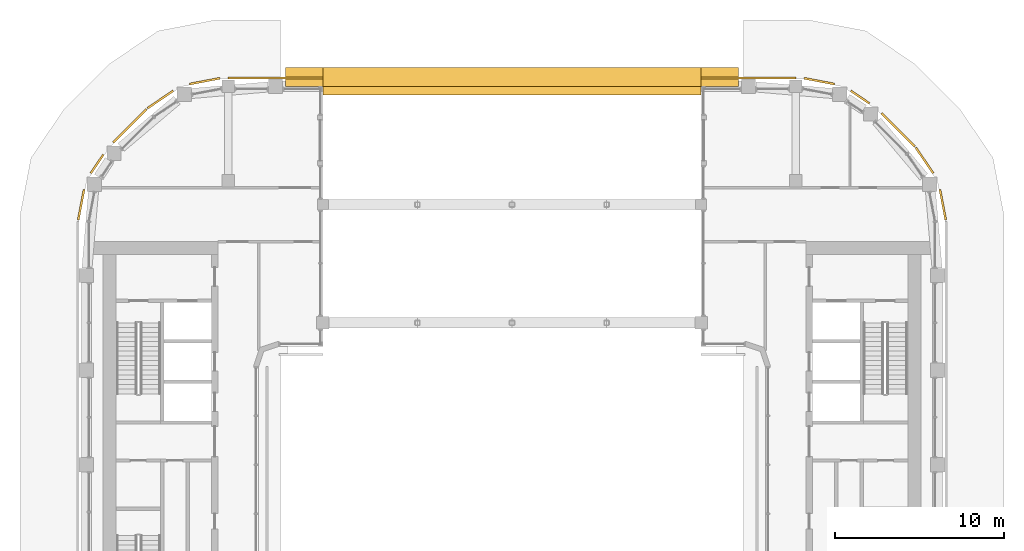
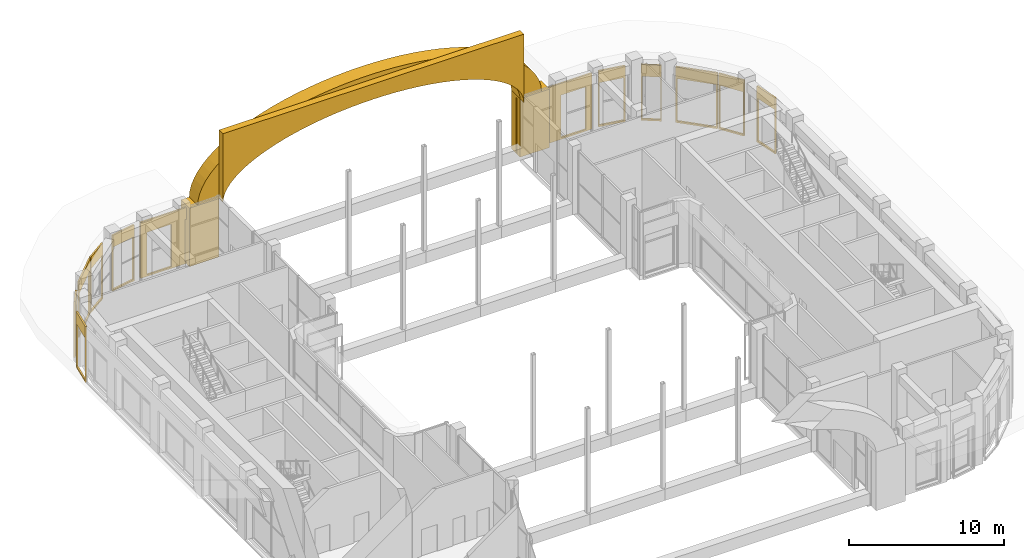
# One storey, part 26 of 26: 16 coverings.
"""IFC4 building model written with IfcOpenShell, lengths in metres."""

from ifc_helpers import new_model, si_unit, direction, frame, origin, origin_2d, place, context, subcontext, project, spatial, polyline, rectangle, outline, extrude, material, layer, layer_set, type_object, element, save


model = new_model("IFC4")

# Units and contexts
model_context = context("Model", 3, precision=1e-05, world=origin(), true_north=direction((0.0, 1.0)))
body_context = subcontext(model_context, "Body", "Model", "MODEL_VIEW")
ifc_project = project(units=[si_unit("LENGTHUNIT", "METRE"), si_unit("AREAUNIT", "SQUARE_METRE"), si_unit("VOLUMEUNIT", "CUBIC_METRE"), si_unit("PLANEANGLEUNIT", "RADIAN"), si_unit("MASSUNIT", "GRAM", prefix="KILO")], contexts=[model_context])

# Site, building, storey
site_placement = place(None, origin())
site = spatial("IfcSite", under=ifc_project, at=site_placement, CompositionType="ELEMENT")
building_placement = place(site_placement, origin())
building = spatial("IfcBuilding", under=site, at=building_placement, Name="Kiln Ring Residences", CompositionType="ELEMENT")
storey_placement = place(building_placement, frame((0.0, 0.0, 230.89990234375)))
storey = spatial("IfcBuildingStorey", under=building, at=storey_placement, Name="L60", CompositionType="ELEMENT", Elevation=230.89990234375)

# Coverings
ifc_material_1 = material(Name="Concrete C35/45, exposed aggregate finish", Category="concrete")
covering_type_1 = type_object("IfcCoveringType", Name="PORTAL ARCHIVOLT 700", PredefinedType="CLADDING", material=ifc_material_1)
covering_1_placement = place(storey_placement, frame((-12.800048828125, 22.949951171875, 4.60009765625), z_axis=(0.0, 0.0, 1.0), x_axis=(1.0, 0.0, 0.0)))
element("IfcCovering", 1, at=covering_1_placement, inside=storey, type_object=covering_type_1, Name="PORTAL ARCHIVOLT L60", PredefinedType="CLADDING", context=body_context, shape_type="SweptSolid", body=[
    extrude(outline(polyline([(25.60009765625, 0.0), (25.560546875, 0.455078125), (25.4423828125, 0.9072265625), (25.246337890625, 1.35400390625), (24.973388671875, 1.792236328125), (24.625732421875, 2.219482421875), (24.204833984375, 2.633056640625), (23.7138671875, 3.030517578125), (23.155517578125, 3.4091796875), (22.533203125, 3.766845703125), (21.85107421875, 4.101318359375), (21.11279296875, 4.410400390625), (20.32373046875, 4.6923828125), (19.488037109375, 4.9453125), (18.611083984375, 5.167724609375), (17.6982421875, 5.3583984375), (16.75537109375, 5.51611328125), (15.7880859375, 5.6396484375), (14.802490234375, 5.728515625), (13.80419921875, 5.781982421875), (12.800048828125, 5.800048828125), (11.795654296875, 5.781982421875), (10.797607421875, 5.728515625), (9.81201171875, 5.6396484375), (8.844482421875, 5.51611328125), (7.901611328125, 5.3583984375), (6.989013671875, 5.167724609375), (6.112060546875, 4.9453125), (5.2763671875, 4.6923828125), (4.487060546875, 4.410400390625), (3.7490234375, 4.101318359375), (3.06689453125, 3.766845703125), (2.444580078125, 3.4091796875), (1.88623046875, 3.030517578125), (1.39501953125, 2.633056640625), (0.974365234375, 2.219482421875), (0.62646484375, 1.792236328125), (0.353759765625, 1.35400390625), (0.15771484375, 0.9072265625), (0.03955078125, 0.455078125), (0.0, 0.0), (1.60009765625, 0.0), (1.634521484375, 0.32958984375), (1.73779296875, 0.656982421875), (1.909423828125, 0.98046875), (2.148193359375, 1.2978515625), (2.452392578125, 1.607421875), (2.82080078125, 1.90673828125), (3.25048828125, 2.194580078125), (3.739013671875, 2.46875), (4.283447265625, 2.727783203125), (4.88037109375, 2.9697265625), (5.526123046875, 3.193603515625), (6.216796875, 3.39794921875), (6.947998046875, 3.5810546875), (7.71533203125, 3.7421875), (8.513916015625, 3.88037109375), (9.339111328125, 3.994384765625), (10.185302734375, 4.083984375), (11.0478515625, 4.148193359375), (11.92138671875, 4.18701171875), (12.800048828125, 4.199951171875), (13.6787109375, 4.18701171875), (14.552001953125, 4.148193359375), (15.41455078125, 4.083984375), (16.260986328125, 3.994384765625), (17.086181640625, 3.88037109375), (17.884765625, 3.7421875), (18.652099609375, 3.5810546875), (19.38330078125, 3.39794921875), (20.07373046875, 3.193603515625), (20.719482421875, 2.9697265625), (21.31640625, 2.727783203125), (21.861083984375, 2.46875), (22.349609375, 2.194580078125), (22.779296875, 1.90673828125), (23.1474609375, 1.607421875), (23.451904296875, 1.2978515625), (23.6904296875, 0.98046875), (23.862060546875, 0.656982421875), (23.965576171875, 0.32958984375), (24.0, 0.0), (25.60009765625, 0.0)])), frame((0.0, 0.550048828125, 0.0), z_axis=(0.0, -1.0, 0.0), x_axis=(1.0, 0.0, 0.0)), (0.0, 0.0, 1.0), 1.10009765625),
])
ifc_material_2 = material(Name="Concrete C35/45, exposed aggregate finish", Category="concrete")
covering_type_2 = type_object("IfcCoveringType", Name="PORTAL JAMB 1400 x 700", PredefinedType="CLADDING", material=ifc_material_2)
for number, where, z_axis, x_axis, name in (
    (2, (-12.300048828125, 22.949951171875, 0.0), (0.0, 0.0, 1.0), (1.0, 0.0, 0.0), "PORTAL JAMB L60"),
    (3, (12.300048828125, 22.949951171875, 0.0), (0.0, 0.0, 1.0), (1.0, 0.0, 0.0), "PORTAL JAMB L60"),
):
    element("IfcCovering", number, at=place(storey_placement, frame(where, z_axis=z_axis, x_axis=x_axis)), inside=storey, type_object=covering_type_2, Name=name, PredefinedType="CLADDING", context=body_context, shape_type="SweptSolid", body=[
        extrude(rectangle(XDim=2.199951171875, YDim=1.10009765625, at=origin_2d()), origin(), (0.0, 0.0, 1.0), 4.60009765625),
    ])
ifc_material_3 = material(Name="Concrete C35/45, exposed aggregate finish", Category="concrete")
ifc_layer_1 = layer(ifc_material_3, 0.5)
ifc_layer_set_1 = layer_set([ifc_layer_1], Name="PORTAL TYMPANUM 500")
covering_type_3 = type_object("IfcCoveringType", Name="PORTAL TYMPANUM 500", PredefinedType="CLADDING", material=ifc_layer_set_1)
covering_2_placement = place(storey_placement, frame((-11.199951171875, 22.14990234375, 4.60009765625), z_axis=(0.0, 0.0, 1.0), x_axis=(1.0, 0.0, 0.0)))
element("IfcCovering", 4, at=covering_2_placement, inside=storey, type_object=covering_type_3, Name="PORTAL TYMPANUM L60", PredefinedType="CLADDING", context=body_context, shape_type="SweptSolid", body=[
    extrude(outline(polyline([(0.0, 0.0), (0.0, 5.39990234375), (22.39990234375, 5.39990234375), (22.39990234375, 0.0), (22.365478515625, 0.32958984375), (22.26220703125, 0.656982421875), (22.090576171875, 0.98046875), (21.851806640625, 1.2978515625), (21.547607421875, 1.607421875), (21.17919921875, 1.90673828125), (20.74951171875, 2.194580078125), (20.260986328125, 2.46875), (19.716552734375, 2.727783203125), (19.11962890625, 2.9697265625), (18.473876953125, 3.193603515625), (17.783203125, 3.39794921875), (17.052001953125, 3.5810546875), (16.28466796875, 3.7421875), (15.486083984375, 3.88037109375), (14.660888671875, 3.994384765625), (13.814697265625, 4.083984375), (12.9521484375, 4.148193359375), (12.07861328125, 4.18701171875), (11.199951171875, 4.199951171875), (10.3212890625, 4.18701171875), (9.447998046875, 4.148193359375), (8.58544921875, 4.083984375), (7.739013671875, 3.994384765625), (6.913818359375, 3.88037109375), (6.115234375, 3.7421875), (5.347900390625, 3.5810546875), (4.61669921875, 3.39794921875), (3.92626953125, 3.193603515625), (3.280517578125, 2.9697265625), (2.68359375, 2.727783203125), (2.138916015625, 2.46875), (1.650390625, 2.194580078125), (1.220703125, 1.90673828125), (0.8525390625, 1.607421875), (0.548095703125, 1.2978515625), (0.3095703125, 0.98046875), (0.137939453125, 0.656982421875), (0.034423828125, 0.32958984375), (0.0, 0.0)])), frame((0.0, 0.25, 0.0), z_axis=(0.0, -1.0, 0.0), x_axis=(1.0, 0.0, 0.0)), (0.0, 0.0, 1.0), 0.5),
])
ifc_material_4 = material(Name="Brick masonry, dark clay brick", Category="masonry")
ifc_layer_2 = layer(ifc_material_4, 0.1201171875)
ifc_layer_set_2 = layer_set([ifc_layer_2], Name="RAINSCREEN PANEL 120")
covering_type_4 = type_object("IfcCoveringType", Name="RAINSCREEN PANEL 120", PredefinedType="CLADDING", material=ifc_layer_set_2)
covering_3_placement = place(storey_placement, frame((-11.199951171875, 22.885009765625, 0.0), z_axis=(0.0, 0.0, 1.0), x_axis=(-1.0, 0.0, 0.0)))
element("IfcCovering", 5, at=covering_3_placement, inside=storey, type_object=covering_type_4, Name="RAINSCREEN L60", PredefinedType="CLADDING", context=body_context, shape_type="SweptSolid", body=[
    extrude(outline(polyline([(0.0, 0.0), (5.60009765625, 0.0), (5.60009765625, 4.400146484375), (0.0, 4.400146484375), (0.0, 0.0)]), holes=[polyline([(2.294921875, 3.47021484375), (0.080078125, 3.47021484375), (0.080078125, 0.130126953125), (2.294921875, 0.130126953125), (2.294921875, 3.47021484375)]), polyline([(5.14501953125, 3.47021484375), (3.304931640625, 3.47021484375), (3.304931640625, 0.130126953125), (5.14501953125, 0.130126953125), (5.14501953125, 3.47021484375)])]), frame((0.0, 0.06005859375, 0.0), z_axis=(0.0, -1.0, 0.0), x_axis=(1.0, 0.0, 0.0)), (0.0, 0.0, 1.0), 0.1201171875),
])
for number, where, z_axis, x_axis, name in (
    (6, (-17.290771484375, 22.87646484375, 0.0), (0.0, 0.0, 1.0), (-0.982275499014, -0.187442908742, 0.0), "RAINSCREEN L60"),
    (7, (-20.05517578125, 22.13330078125, 0.0), (0.0, 0.0, 1.0), (-0.82705295608, -0.562124014644, 0.0), "RAINSCREEN L60"),
):
    element("IfcCovering", number, at=place(storey_placement, frame(where, z_axis=z_axis, x_axis=x_axis)), inside=storey, type_object=covering_type_4, Name=name, PredefinedType="CLADDING", context=body_context, shape_type="SweptSolid", body=[
        extrude(outline(polyline([(0.0, 0.0), (1.8310546875, 0.0), (1.8310546875, 4.400146484375), (0.0, 4.400146484375), (0.0, 0.0)]), holes=[polyline([(0.080078125, 3.47021484375), (0.080078125, 0.130126953125), (1.751220703125, 0.130126953125), (1.751220703125, 3.47021484375), (0.080078125, 3.47021484375)])]), frame((0.0, 0.06005859375, 0.0), z_axis=(0.0, -1.0, 0.0), x_axis=(1.0, 0.0, 0.0)), (0.0, 0.0, 1.0), 0.1201171875),
    ])
covering_4_placement = place(storey_placement, frame((-21.639892578125, 21.0458984375, 0.0), z_axis=(0.0, 0.0, 1.0), x_axis=(-0.707150767798, -0.707062791838, 0.0)))
element("IfcCovering", 8, at=covering_4_placement, inside=storey, type_object=covering_type_4, Name="RAINSCREEN L60", PredefinedType="CLADDING", context=body_context, shape_type="SweptSolid", body=[
    extrude(outline(polyline([(0.0, 0.0), (2.77490234375, 0.0), (2.77490234375, 4.400146484375), (0.0, 4.400146484375), (0.0, 0.0)]), holes=[polyline([(0.080078125, 3.47021484375), (0.080078125, 0.130126953125), (2.695068359375, 0.130126953125), (2.695068359375, 3.47021484375), (0.080078125, 3.47021484375)])]), frame((0.0, 0.06005859375, 0.0), z_axis=(0.0, -1.0, 0.0), x_axis=(1.0, 0.0, 0.0)), (0.0, 0.0, 1.0), 0.1201171875),
])
covering_5_placement = place(storey_placement, frame((-24.187255859375, 18.352783203125, 0.0), z_axis=(0.0, 0.0, 1.0), x_axis=(-0.562149004813, -0.827035970432, 0.0)))
element("IfcCovering", 9, at=covering_5_placement, inside=storey, type_object=covering_type_4, Name="RAINSCREEN L60", PredefinedType="CLADDING", context=body_context, shape_type="SweptSolid", body=[
    extrude(outline(polyline([(0.0, 0.0), (1.3271484375, 0.0), (1.3271484375, 4.400146484375), (0.0, 4.400146484375), (0.0, 0.0)]), holes=[polyline([(0.080078125, 3.47021484375), (0.080078125, 0.130126953125), (1.2470703125, 0.130126953125), (1.2470703125, 3.47021484375), (0.080078125, 3.47021484375)])]), frame((0.0, 0.06005859375, 0.0), z_axis=(0.0, -1.0, 0.0), x_axis=(1.0, 0.0, 0.0)), (0.0, 0.0, 1.0), 0.1201171875),
])
for number, where, z_axis, x_axis, name in (
    (10, (-25.333251953125, 16.28955078125, 0.0), (0.0, 0.0, 1.0), (-0.187467458198, -0.982270814041, 0.0), "RAINSCREEN L60"),
    (11, (25.676513671875, 14.490966796875, 0.0), (0.0, 0.0, 1.0), (-0.187467458198, 0.982270814041, 0.0), "RAINSCREEN L60"),
    (12, (24.933349609375, 17.255126953125, 0.0), (0.0, 0.0, 1.0), (-0.562062033417, 0.827095079535, 0.0), "RAINSCREEN L60"),
):
    element("IfcCovering", number, at=place(storey_placement, frame(where, z_axis=z_axis, x_axis=x_axis)), inside=storey, type_object=covering_type_4, Name=name, PredefinedType="CLADDING", context=body_context, shape_type="SweptSolid", body=[
        extrude(outline(polyline([(0.0, 0.0), (1.8310546875, 0.0), (1.8310546875, 4.400146484375), (0.0, 4.400146484375), (0.0, 0.0)]), holes=[polyline([(0.080078125, 3.47021484375), (0.080078125, 0.130126953125), (1.751220703125, 0.130126953125), (1.751220703125, 3.47021484375), (0.080078125, 3.47021484375)])]), frame((0.0, 0.06005859375, 0.0), z_axis=(0.0, -1.0, 0.0), x_axis=(1.0, 0.0, 0.0)), (0.0, 0.0, 1.0), 0.1201171875),
    ])
covering_6_placement = place(storey_placement, frame((23.845947265625, 18.840087890625, 0.0), z_axis=(0.0, 0.0, 1.0), x_axis=(-0.707106781187, 0.707106781187, 0.0)))
element("IfcCovering", 13, at=covering_6_placement, inside=storey, type_object=covering_type_4, Name="RAINSCREEN L60", PredefinedType="CLADDING", context=body_context, shape_type="SweptSolid", body=[
    extrude(outline(polyline([(0.0, 0.0), (2.77490234375, 0.0), (2.77490234375, 4.400146484375), (0.0, 4.400146484375), (0.0, 0.0)]), holes=[polyline([(0.080078125, 3.47021484375), (0.080078125, 0.130126953125), (2.695068359375, 0.130126953125), (2.695068359375, 3.47021484375), (0.080078125, 3.47021484375)])]), frame((0.0, 0.06005859375, 0.0), z_axis=(0.0, -1.0, 0.0), x_axis=(1.0, 0.0, 0.0)), (0.0, 0.0, 1.0), 0.1201171875),
])
covering_7_placement = place(storey_placement, frame((21.15283203125, 21.387451171875, 0.0), z_axis=(0.0, 0.0, 1.0), x_axis=(-0.827121490933, 0.562023166103, 0.0)))
element("IfcCovering", 14, at=covering_7_placement, inside=storey, type_object=covering_type_4, Name="RAINSCREEN L60", PredefinedType="CLADDING", context=body_context, shape_type="SweptSolid", body=[
    extrude(outline(polyline([(0.0, 0.0), (1.3271484375, 0.0), (1.3271484375, 4.400146484375), (0.0, 4.400146484375), (0.0, 0.0)]), holes=[polyline([(0.080078125, 3.47021484375), (0.080078125, 0.130126953125), (1.2470703125, 0.130126953125), (1.2470703125, 3.47021484375), (0.080078125, 3.47021484375)])]), frame((0.0, 0.06005859375, 0.0), z_axis=(0.0, -1.0, 0.0), x_axis=(1.0, 0.0, 0.0)), (0.0, 0.0, 1.0), 0.1201171875),
])
covering_8_placement = place(storey_placement, frame((19.089599609375, 22.533203125, 0.0), z_axis=(0.0, 0.0, 1.0), x_axis=(-0.982275499014, 0.187442908742, 0.0)))
element("IfcCovering", 15, at=covering_8_placement, inside=storey, type_object=covering_type_4, Name="RAINSCREEN L60", PredefinedType="CLADDING", context=body_context, shape_type="SweptSolid", body=[
    extrude(outline(polyline([(0.0, 0.0), (1.8310546875, 0.0), (1.8310546875, 4.400146484375), (0.0, 4.400146484375), (0.0, 0.0)]), holes=[polyline([(0.080078125, 3.47021484375), (0.080078125, 0.130126953125), (1.751220703125, 0.130126953125), (1.751220703125, 3.47021484375), (0.080078125, 3.47021484375)])]), frame((0.0, 0.06005859375, 0.0), z_axis=(0.0, -1.0, 0.0), x_axis=(1.0, 0.0, 0.0)), (0.0, 0.0, 1.0), 0.1201171875),
])
covering_9_placement = place(storey_placement, frame((16.800048828125, 22.885009765625, 0.0), z_axis=(0.0, 0.0, 1.0), x_axis=(-1.0, 0.0, 0.0)))
element("IfcCovering", 16, at=covering_9_placement, inside=storey, type_object=covering_type_4, Name="RAINSCREEN L60", PredefinedType="CLADDING", context=body_context, shape_type="SweptSolid", body=[
    extrude(outline(polyline([(0.0, 0.0), (5.60009765625, 0.0), (5.60009765625, 4.400146484375), (0.0, 4.400146484375), (0.0, 0.0)]), holes=[polyline([(2.294921875, 3.47021484375), (0.455078125, 3.47021484375), (0.455078125, 0.130126953125), (2.294921875, 0.130126953125), (2.294921875, 3.47021484375)]), polyline([(5.52001953125, 3.47021484375), (3.304931640625, 3.47021484375), (3.304931640625, 0.130126953125), (5.52001953125, 0.130126953125), (5.52001953125, 3.47021484375)])]), frame((0.0, 0.06005859375, 0.0), z_axis=(0.0, -1.0, 0.0), x_axis=(1.0, 0.0, 0.0)), (0.0, 0.0, 1.0), 0.1201171875),
])

save(model, "model.ifc")
